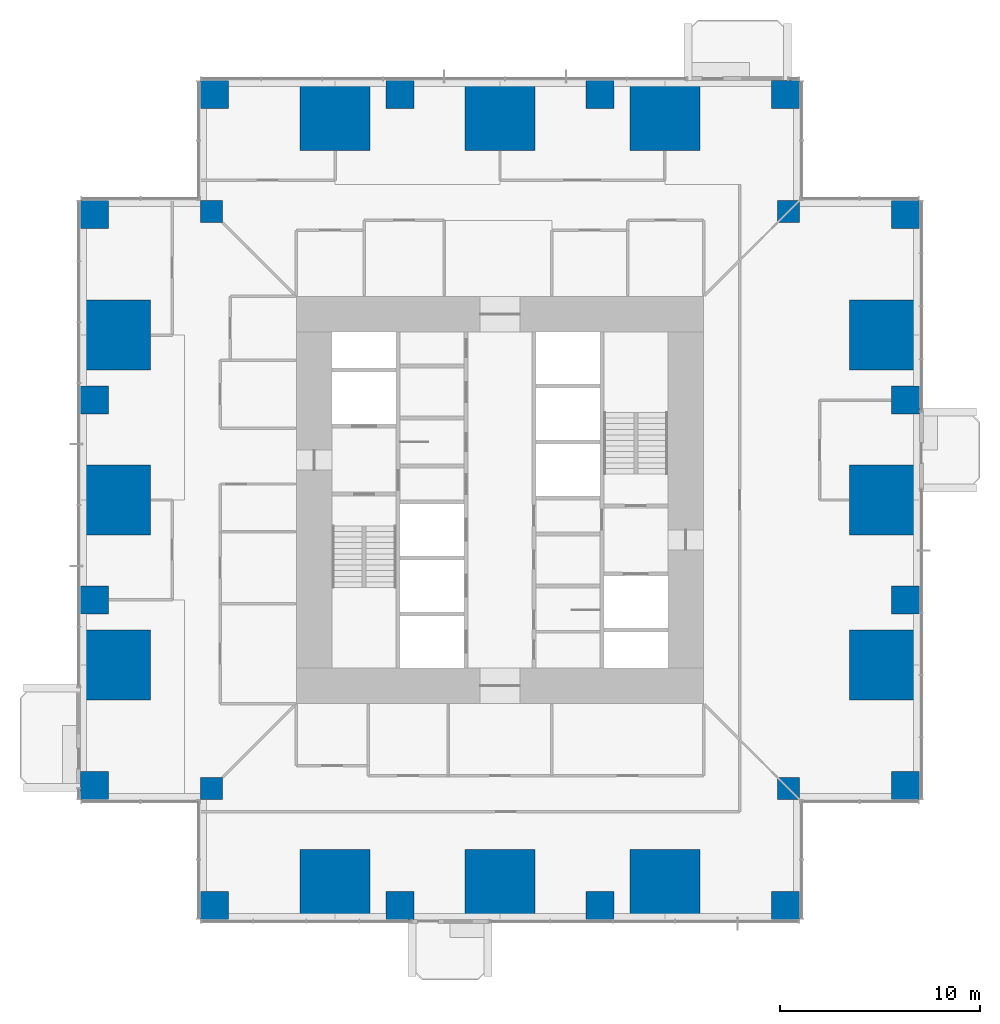
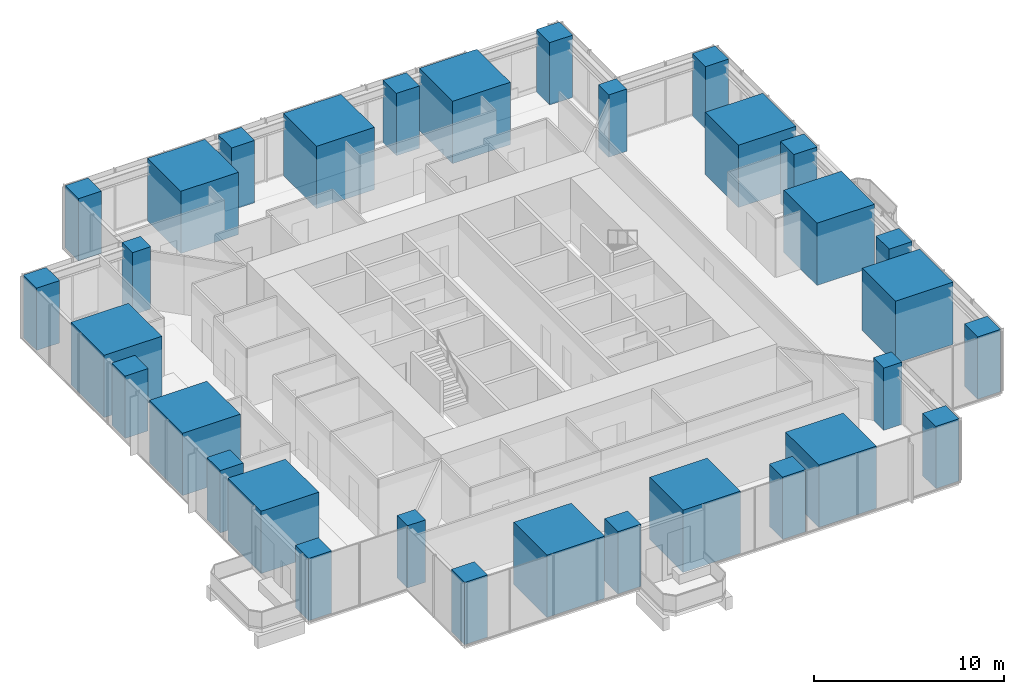
# One storey, part 1 of 17: 32 columns.
"""IFC4 building model written with IfcOpenShell, lengths in metres."""

from ifc_helpers import new_model, si_unit, direction, frame, origin, origin_2d, place, context, subcontext, project, spatial, rectangle, extrude, material, material_profile, profile_set, type_object, element, save


model = new_model("IFC4")

# Units and contexts
model_context = context("Model", 3, precision=1e-05, world=origin(), true_north=direction((0.0, 1.0)))
body_context = subcontext(model_context, "Body", "Model", "MODEL_VIEW")
ifc_project = project(units=[si_unit("LENGTHUNIT", "METRE"), si_unit("AREAUNIT", "SQUARE_METRE"), si_unit("VOLUMEUNIT", "CUBIC_METRE"), si_unit("PLANEANGLEUNIT", "RADIAN"), si_unit("MASSUNIT", "GRAM", prefix="KILO")], contexts=[model_context])

# Site, building, storey
site_placement = place(None, origin())
site = spatial("IfcSite", under=ifc_project, at=site_placement, CompositionType="ELEMENT")
building_placement = place(site_placement, origin())
building = spatial("IfcBuilding", under=site, at=building_placement, Name="Svetlomir Tower", CompositionType="ELEMENT")
storey_placement = place(building_placement, frame((0.0, 0.0, 38.5)))
storey = spatial("IfcBuildingStorey", under=building, at=storey_placement, Name="L08", CompositionType="ELEMENT", Elevation=38.5)

# Columns
ifc_material_1 = material(Name="Concrete C60/75", Category="concrete")
ifc_material_profile_1 = material_profile(ifc_material_1, rectangle(XDim=1.10009765625, YDim=1.10009765625, at=origin_2d()), Name="RC 1100x1100")
ifc_profile_set_1 = profile_set([ifc_material_profile_1], Name="Concrete C60/75")
column_type_1 = type_object("IfcColumnType", Name="COLUMN RC 1100x1100", PredefinedType="COLUMN", material=ifc_profile_set_1)
for number, where, z_axis, x_axis, name in (
    (1, (6.550048828125, 6.550048828125, 0.0), (0.0, 0.0, 1.0), (1.0, 0.0, 0.0), "Column 6/6 L08"),
    (2, (35.449951171875, 6.550048828125, 0.0), (0.0, 0.0, 1.0), (1.0, 0.0, 0.0), "Column 36/6 L08"),
    (3, (6.550048828125, 35.449951171875, 0.0), (0.0, 0.0, 1.0), (1.0, 0.0, 0.0), "Column 6/36 L08"),
    (4, (35.449951171875, 35.449951171875, 0.0), (0.0, 0.0, 1.0), (1.0, 0.0, 0.0), "Column 36/36 L08"),
):
    element("IfcColumn", number, at=place(storey_placement, frame(where, z_axis=z_axis, x_axis=x_axis)), inside=storey, type_object=column_type_1, Name=name, PredefinedType="COLUMN", context=body_context, shape_type="SweptSolid", body=[
        extrude(rectangle(XDim=1.10009765625, YDim=1.10009765625, at=origin_2d()), origin(), (0.0, 0.0, 1.0), 4.0),
    ])
ifc_material_2 = material(Name="Concrete C60/75", Category="concrete")
ifc_material_profile_2 = material_profile(ifc_material_2, rectangle(XDim=1.39990234375, YDim=1.39990234375, at=origin_2d()), Name="RC 1400x1400")
ifc_profile_set_2 = profile_set([ifc_material_profile_2], Name="Concrete C60/75")
column_type_2 = type_object("IfcColumnType", Name="COLUMN RC 1400x1400", PredefinedType="COLUMN", material=ifc_profile_set_2)
for number, where, z_axis, x_axis, name in (
    (5, (6.699951171875, 0.699951171875, 0.0), (0.0, 0.0, 1.0), (1.0, 0.0, 0.0), "Column 6/0 L08"),
    (6, (16.0, 0.699951171875, 0.0), (0.0, 0.0, 1.0), (1.0, 0.0, 0.0), "Column 16/0 L08"),
    (7, (26.0, 0.699951171875, 0.0), (0.0, 0.0, 1.0), (1.0, 0.0, 0.0), "Column 26/0 L08"),
    (8, (35.300048828125, 0.699951171875, 0.0), (0.0, 0.0, 1.0), (1.0, 0.0, 0.0), "Column 36/0 L08"),
    (9, (0.699951171875, 6.699951171875, 0.0), (0.0, 0.0, 1.0), (1.0, 0.0, 0.0), "Column 0/6 L08"),
    (10, (41.300048828125, 6.699951171875, 0.0), (0.0, 0.0, 1.0), (1.0, 0.0, 0.0), "Column 42/6 L08"),
    (11, (0.699951171875, 16.0, 0.0), (0.0, 0.0, 1.0), (1.0, 0.0, 0.0), "Column 0/16 L08"),
    (12, (41.300048828125, 16.0, 0.0), (0.0, 0.0, 1.0), (1.0, 0.0, 0.0), "Column 42/16 L08"),
    (13, (0.699951171875, 26.0, 0.0), (0.0, 0.0, 1.0), (1.0, 0.0, 0.0), "Column 0/26 L08"),
    (14, (41.300048828125, 26.0, 0.0), (0.0, 0.0, 1.0), (1.0, 0.0, 0.0), "Column 42/26 L08"),
    (15, (0.699951171875, 35.300048828125, 0.0), (0.0, 0.0, 1.0), (1.0, 0.0, 0.0), "Column 0/36 L08"),
    (16, (41.300048828125, 35.300048828125, 0.0), (0.0, 0.0, 1.0), (1.0, 0.0, 0.0), "Column 42/36 L08"),
    (17, (6.699951171875, 41.300048828125, 0.0), (0.0, 0.0, 1.0), (1.0, 0.0, 0.0), "Column 6/42 L08"),
    (18, (16.0, 41.300048828125, 0.0), (0.0, 0.0, 1.0), (1.0, 0.0, 0.0), "Column 16/42 L08"),
    (19, (26.0, 41.300048828125, 0.0), (0.0, 0.0, 1.0), (1.0, 0.0, 0.0), "Column 26/42 L08"),
    (20, (35.300048828125, 41.300048828125, 0.0), (0.0, 0.0, 1.0), (1.0, 0.0, 0.0), "Column 36/42 L08"),
):
    element("IfcColumn", number, at=place(storey_placement, frame(where, z_axis=z_axis, x_axis=x_axis)), inside=storey, type_object=column_type_2, Name=name, PredefinedType="COLUMN", context=body_context, shape_type="SweptSolid", body=[
        extrude(rectangle(XDim=1.39990234375, YDim=1.39990234375, at=origin_2d()), origin(), (0.0, 0.0, 1.0), 4.0),
    ])
ifc_material_3 = material(Name="Concrete C60/75", Category="concrete")
ifc_material_profile_3 = material_profile(ifc_material_3, rectangle(XDim=3.5, YDim=3.5, at=origin_2d()), Name="RC 3500x3500")
ifc_profile_set_3 = profile_set([ifc_material_profile_3], Name="Concrete C60/75")
column_type_3 = type_object("IfcColumnType", Name="COLUMN RC 3500x3500", PredefinedType="COLUMN", material=ifc_profile_set_3)
for number, where, z_axis, x_axis, name in (
    (21, (12.75, 1.75, 0.0), (0.0, 0.0, 1.0), (1.0, 0.0, 0.0), "Column 11/0 L08"),
    (22, (21.0, 1.75, 0.0), (0.0, 0.0, 1.0), (1.0, 0.0, 0.0), "Column 21/0 L08"),
    (23, (29.25, 1.75, 0.0), (0.0, 0.0, 1.0), (1.0, 0.0, 0.0), "Column 31/0 L08"),
    (24, (1.75, 12.75, 0.0), (0.0, 0.0, 1.0), (1.0, 0.0, 0.0), "Column 0/11 L08"),
    (25, (40.25, 12.75, 0.0), (0.0, 0.0, 1.0), (1.0, 0.0, 0.0), "Column 42/11 L08"),
    (26, (1.75, 21.0, 0.0), (0.0, 0.0, 1.0), (1.0, 0.0, 0.0), "Column 0/21 L08"),
    (27, (40.25, 21.0, 0.0), (0.0, 0.0, 1.0), (1.0, 0.0, 0.0), "Column 42/21 L08"),
    (28, (1.75, 29.25, 0.0), (0.0, 0.0, 1.0), (1.0, 0.0, 0.0), "Column 0/31 L08"),
    (29, (40.25, 29.25, 0.0), (0.0, 0.0, 1.0), (1.0, 0.0, 0.0), "Column 42/31 L08"),
    (30, (12.75, 40.25, 0.0), (0.0, 0.0, 1.0), (1.0, 0.0, 0.0), "Column 11/42 L08"),
    (31, (21.0, 40.25, 0.0), (0.0, 0.0, 1.0), (1.0, 0.0, 0.0), "Column 21/42 L08"),
    (32, (29.25, 40.25, 0.0), (0.0, 0.0, 1.0), (1.0, 0.0, 0.0), "Column 31/42 L08"),
):
    element("IfcColumn", number, at=place(storey_placement, frame(where, z_axis=z_axis, x_axis=x_axis)), inside=storey, type_object=column_type_3, Name=name, PredefinedType="COLUMN", context=body_context, shape_type="SweptSolid", body=[
        extrude(rectangle(XDim=3.5, YDim=3.5, at=origin_2d()), origin(), (0.0, 0.0, 1.0), 4.0),
    ])

save(model, "model.ifc")
